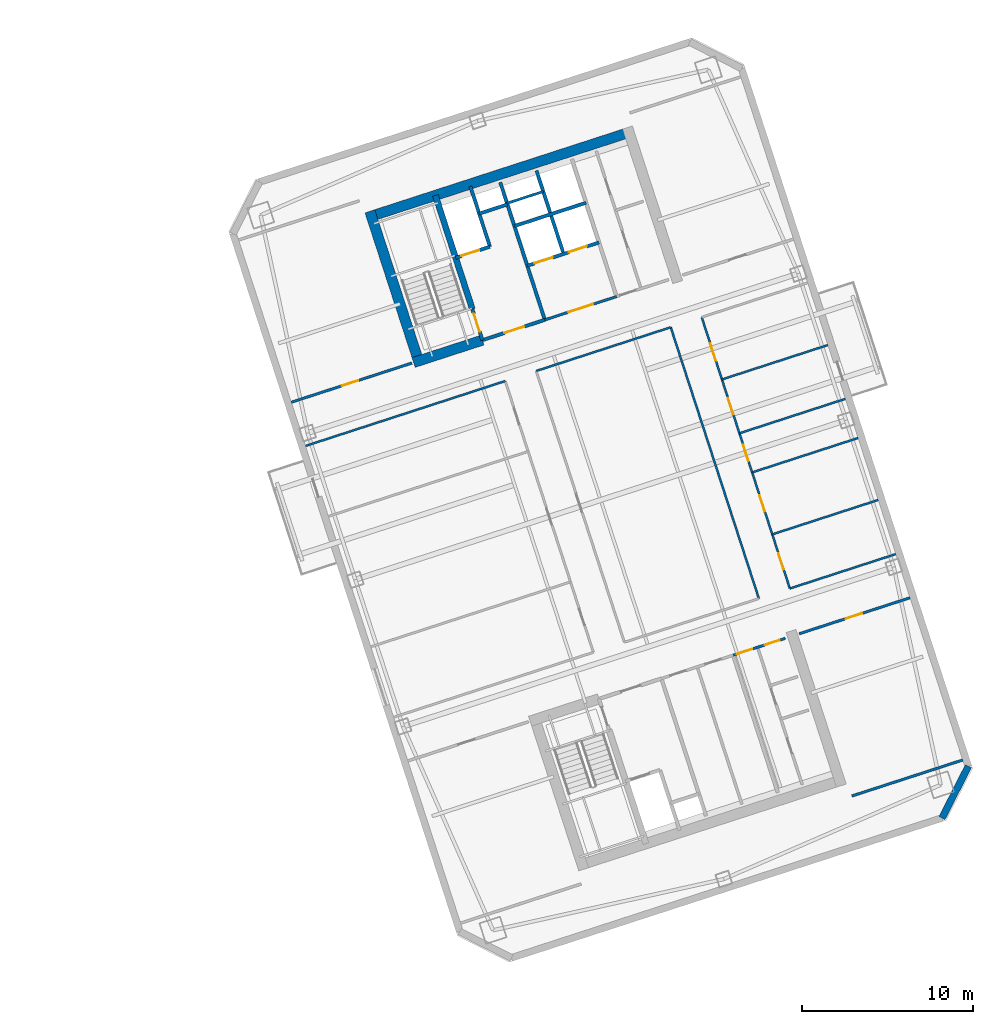
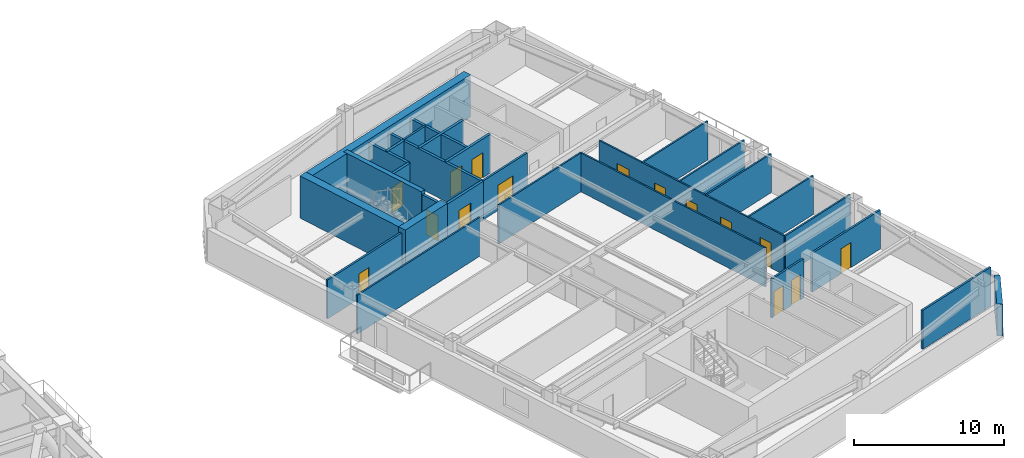
# One storey, part 10 of 17: 29 walls, 15 doors, 15 openings.
"""IFC4 building model written with IfcOpenShell, lengths in metres."""

from ifc_helpers import new_model, si_unit, direction, frame, frame_2d, origin, place, context, subcontext, project, spatial, rectangle, extrude, material, layer, layer_set, type_object, element, fill, save


model = new_model("IFC4")

# Units and contexts
model_context = context("Model", 3, precision=1e-05, world=origin(), true_north=direction((0.0, 1.0)))
body_context = subcontext(model_context, "Body", "Model", "MODEL_VIEW")
ifc_project = project(units=[si_unit("LENGTHUNIT", "METRE"), si_unit("AREAUNIT", "SQUARE_METRE"), si_unit("VOLUMEUNIT", "CUBIC_METRE"), si_unit("PLANEANGLEUNIT", "RADIAN"), si_unit("MASSUNIT", "GRAM", prefix="KILO")], contexts=[model_context])

# Site, building, storey
site_placement = place(None, origin())
site = spatial("IfcSite", under=ifc_project, at=site_placement, CompositionType="ELEMENT")
building_placement = place(site_placement, origin())
building = spatial("IfcBuilding", under=site, at=building_placement, Name="Qiaolan Cultural Towers", CompositionType="ELEMENT")
storey_placement = place(building_placement, frame((0.0, 0.0, 156.39990234375)))
storey = spatial("IfcBuildingStorey", under=building, at=storey_placement, Name="L41", CompositionType="ELEMENT", Elevation=156.39990234375)

# Walls
ifc_material_1 = material(Name="Concrete C50", Category="concrete")
ifc_layer_1 = layer(ifc_material_1, 0.35009765625)
ifc_layer_set_1 = layer_set([ifc_layer_1], Name="Concrete C50")
wall_type_1 = type_object("IfcWallType", Name="WL-CORE-350", PredefinedType="SHEAR", material=ifc_layer_set_1)
wall_1_placement = place(storey_placement, frame((82.513671875, 45.13134765625, 0.0), z_axis=(0.0, 0.0, 1.0), x_axis=(-0.308988790936, 0.951065679686, 0.0)))
element("IfcWall", 1, at=wall_1_placement, inside=storey, type_object=wall_type_1, Name="L41 T2-CN Stair Core Dividing Web", PredefinedType="SHEAR", context=body_context, shape_type="SweptSolid", body=[
    extrude(rectangle(XDim=6.97998046875, YDim=0.35009765625, at=frame_2d((3.489990234375, 0.0))), origin(), (0.0, 0.0, 1.0), 3.4501953125),
])
ifc_material_2 = material(Name="Concrete C55", Category="concrete")
ifc_layer_2 = layer(ifc_material_2, 0.60009765625)
ifc_layer_set_2 = layer_set([ifc_layer_2], Name="Concrete C55")
wall_type_2 = type_object("IfcWallType", Name="WL-CORE-600", PredefinedType="SHEAR", material=ifc_layer_set_2)
wall_2_placement = place(storey_placement, frame((76.343505859375, 50.4658203125, 0.0), z_axis=(0.0, 0.0, 1.0), x_axis=(0.951055727519, 0.309019421968, 0.0)))
element("IfcWall", 2, at=wall_2_placement, inside=storey, type_object=wall_type_2, Name="L41 T2-CN Outer Core Shear Wall", PredefinedType="SHEAR", context=body_context, shape_type="SweptSolid", body=[
    extrude(rectangle(XDim=16.39990234375, YDim=0.60009765625, at=frame_2d((8.199951171875, 0.0))), origin(), (0.0, 0.0, 1.0), 3.4501953125),
])
wall_3_placement = place(storey_placement, frame((79.465576171875, 41.827880859375, 0.0), z_axis=(0.0, 0.0, 1.0), x_axis=(-0.309041232772, 0.951048640421, 0.0)))
element("IfcWall", 3, at=wall_3_placement, inside=storey, type_object=wall_type_2, Name="L41 T2-CN West Core Shear Wall", PredefinedType="SHEAR", context=body_context, shape_type="SweptSolid", body=[
    extrude(rectangle(XDim=9.47998046875, YDim=0.60009765625, at=frame_2d((4.739990234375, 0.0))), origin(), (0.0, 0.0, 1.0), 3.4501953125),
])
wall_4_placement = place(storey_placement, frame((79.08740234375, 42.0205078125, 0.0), z_axis=(0.0, 0.0, 1.0), x_axis=(0.951062550203, 0.3089984233, 0.0)))
element("IfcWall", 4, at=wall_4_placement, inside=storey, type_object=wall_type_2, Name="L41 T2-CN Stair Front Shear Wall", PredefinedType="SHEAR", context=body_context, shape_type="SweptSolid", body=[
    extrude(rectangle(XDim=4.219970703125, YDim=0.60009765625, at=frame_2d((2.10986328125, 0.0))), origin(), (0.0, 0.0, 1.0), 3.4501953125),
])
ifc_material_3 = material(Name="Precast Concrete C50 Honed Stone Pier", Category="masonry")
ifc_layer_3 = layer(ifc_material_3, 0.39990234375)
ifc_layer_set_3 = layer_set([ifc_layer_3], Name="Precast Concrete C50 Honed Stone Pier")
wall_type_3 = type_object("IfcWallType", Name="WL-EXT-PIER-400", PredefinedType="SOLIDWALL", material=ifc_layer_set_3)
wall_5_placement = place(storey_placement, frame((111.449462890625, 18.468017578125, 0.0), z_axis=(0.0, 0.0, 1.0), x_axis=(-0.454019523198, -0.890991735402, 0.0)))
element("IfcWall", 5, at=wall_5_placement, inside=storey, type_object=wall_type_3, Name="L41 East Tower Precast Pier Facade Wall F6", PredefinedType="SOLIDWALL", context=body_context, shape_type="SweptSolid", body=[
    extrude(rectangle(XDim=3.39404296875, YDim=0.39990234375, at=frame_2d((1.697021484375, 0.0))), origin(), (0.0, 0.0, 1.0), 2.610107421875),
])

# Wall, opening, door
ifc_material_4 = material(Name="Concrete C35 Fire Wall", Category="concrete")
ifc_layer_4 = layer(ifc_material_4, 0.199951171875)
ifc_layer_set_4 = layer_set([ifc_layer_4], Name="Concrete C35 Fire Wall")
wall_type_4 = type_object("IfcWallType", Name="WL-FIRE-200", PredefinedType="PARTITIONING", material=ifc_layer_set_4)
wall_6_placement = place(storey_placement, frame((83.100830078125, 43.324462890625, 0.0), z_axis=(0.0, 0.0, 1.0), x_axis=(-0.309048298632, 0.951046344356, 0.0)))
wall_6 = element("IfcWall", 6, at=wall_6_placement, inside=storey, type_object=wall_type_4, Name="L41 T2-CN Smokeproof Stair Entry Wall", PredefinedType="PARTITIONING", context=body_context, shape_type="SweptSolid", body=[
    extrude(rectangle(XDim=1.89990234375, YDim=0.199951171875, at=frame_2d((0.949951171875, 0.0))), origin(), (0.0, 0.0, 1.0), 3.175048828125),
])
opening_1_placement = place(wall_6_placement, frame((0.52001953125, 0.0, 0.0)))
opening_1 = element("IfcOpeningElement", 7, at=opening_1_placement, cuts=wall_6, Name="Opening FD-04", PredefinedType="OPENING", context=body_context, shape_type="SweptSolid", body=[
    extrude(rectangle(XDim=1.10009765625, YDim=2.050048828125, at=frame_2d((0.550048828125, 1.02490234375))), frame((0.0, 0.10986328125, 0.0), z_axis=(0.0, -1.0, 0.0), x_axis=(1.0, 0.0, 0.0)), (0.0, 0.0, 1.0), 0.219970703125),
])
ifc_material_5 = material(Name="Galvanized Steel Command Fire Door", Category="steel")
door_type_1 = type_object("IfcDoorType", Name="DR-FD90-1100", OperationType="NOTDEFINED", PredefinedType="DOOR", material=ifc_material_5)
door_1_placement = place(opening_1_placement, origin())
door_1 = element("IfcDoor", 8, at=door_1_placement, inside=storey, type_object=door_type_1, Name="L41 ST-E2 Smokeproof Stair Fire Door", OperationType="SINGLE_SWING_LEFT", OverallHeight=2.050048828125, OverallWidth=1.10009765625, PredefinedType="DOOR", context=body_context, shape_type="SweptSolid", body=[
    extrude(rectangle(XDim=1.10009765625, YDim=2.050048828125, at=frame_2d((0.550048828125, 1.02490234375))), frame((0.0, 0.02490234375, 0.0), z_axis=(0.0, -1.0, 0.0), x_axis=(1.0, 0.0, 0.0)), (0.0, 0.0, 1.0), 0.050048828125),
])
fill(opening_1, door_1)

# Wall
wall_7_placement = place(storey_placement, frame((86.743408203125, 44.508056640625, 0.0), z_axis=(0.0, 0.0, 1.0), x_axis=(-0.309016001439, 0.951056838919, 0.0)))
element("IfcWall", 9, at=wall_7_placement, inside=storey, type_object=wall_type_4, Name="L41 T2-CN Firefighting Zone Wall", PredefinedType="PARTITIONING", context=body_context, shape_type="SweptSolid", body=[
    extrude(rectangle(XDim=8.429931640625, YDim=0.199951171875, at=frame_2d((4.21484375, 0.0))), origin(), (0.0, 0.0, 1.0), 3.175048828125),
])

# Wall, opening, door
wall_8_placement = place(storey_placement, frame((83.100830078125, 43.324462890625, 0.0), z_axis=(0.0, 0.0, 1.0), x_axis=(0.951052804469, 0.309028417967, 0.0)))
wall_8 = element("IfcWall", 10, at=wall_8_placement, inside=storey, type_object=wall_type_4, Name="L41 T2-CN Firefighting Lobby Front Wall", PredefinedType="PARTITIONING", context=body_context, shape_type="SweptSolid", body=[
    extrude(rectangle(XDim=3.830078125, YDim=0.199951171875, at=frame_2d((1.9150390625, 0.0))), origin(), (0.0, 0.0, 1.0), 3.175048828125),
])
opening_2_placement = place(wall_8_placement, frame((1.35009765625, 0.0, 0.0)))
opening_2 = element("IfcOpeningElement", 11, at=opening_2_placement, cuts=wall_8, Name="Opening FD-03", PredefinedType="OPENING", context=body_context, shape_type="SweptSolid", body=[
    extrude(rectangle(XDim=1.199951171875, YDim=2.050048828125, at=frame_2d((0.60009765625, 1.02490234375))), frame((0.0, 0.10986328125, 0.0), z_axis=(0.0, -1.0, 0.0), x_axis=(1.0, 0.0, 0.0)), (0.0, 0.0, 1.0), 0.219970703125),
])
ifc_material_6 = material(Name="Galvanized Steel Smokeproof Lobby Fire Door", Category="steel")
door_type_2 = type_object("IfcDoorType", Name="DR-FD90-1200", OperationType="NOTDEFINED", PredefinedType="DOOR", material=ifc_material_6)
door_2_placement = place(opening_2_placement, origin())
door_2 = element("IfcDoor", 12, at=door_2_placement, inside=storey, type_object=door_type_2, Name="L41 FFL-E2 Firefighting Lobby Fire Door", OperationType="SINGLE_SWING_LEFT", OverallHeight=2.050048828125, OverallWidth=1.199951171875, PredefinedType="DOOR", context=body_context, shape_type="SweptSolid", body=[
    extrude(rectangle(XDim=1.199951171875, YDim=2.050048828125, at=frame_2d((0.60009765625, 1.02490234375))), frame((0.0, 0.02490234375, 0.0), z_axis=(0.0, -1.0, 0.0), x_axis=(1.0, 0.0, 0.0)), (0.0, 0.0, 1.0), 0.050048828125),
])
fill(opening_2, door_2)

wall_9_placement = place(storey_placement, frame((81.540283203125, 48.127197265625, 0.0), z_axis=(0.0, 0.0, 1.0), x_axis=(0.951062257173, 0.308999325213, 0.0)))
wall_9 = element("IfcWall", 13, at=wall_9_placement, inside=storey, type_object=wall_type_4, Name="L41 T2-CN Firefighting Shaft Front Wall", PredefinedType="PARTITIONING", context=body_context, shape_type="SweptSolid", body=[
    extrude(rectangle(XDim=2.10009765625, YDim=0.199951171875, at=frame_2d((1.050048828125, 0.0))), origin(), (0.0, 0.0, 1.0), 3.175048828125),
])
opening_3_placement = place(wall_9_placement, frame((0.35009765625, 0.0, 0.0)))
opening_3 = element("IfcOpeningElement", 14, at=opening_3_placement, cuts=wall_9, Name="Opening LD-01", PredefinedType="OPENING", context=body_context, shape_type="SweptSolid", body=[
    extrude(rectangle(XDim=1.10009765625, YDim=2.050048828125, at=frame_2d((0.550048828125, 1.02490234375))), frame((0.0, 0.10986328125, 0.0), z_axis=(0.0, -1.0, 0.0), x_axis=(1.0, 0.0, 0.0)), (0.0, 0.0, 1.0), 0.219970703125),
])
ifc_material_7 = material(Name="Brushed Stainless Steel S30408 Centre-Parting Lift Landing Door", Category="steel")
door_type_3 = type_object("IfcDoorType", Name="DR-LIFT-1100", OperationType="NOTDEFINED", PredefinedType="DOOR", material=ifc_material_7)
door_3_placement = place(opening_3_placement, origin())
door_3 = element("IfcDoor", 15, at=door_3_placement, inside=storey, type_object=door_type_3, Name="L41 FFL-E2 Firefighting Lift Landing Door", OperationType="DOUBLE_DOOR_SLIDING", OverallHeight=2.050048828125, OverallWidth=1.10009765625, PredefinedType="DOOR", context=body_context, shape_type="SweptSolid", body=[
    extrude(rectangle(XDim=1.10009765625, YDim=2.050048828125, at=frame_2d((0.550048828125, 1.02490234375))), frame((0.0, 0.02490234375, 0.0), z_axis=(0.0, -1.0, 0.0), x_axis=(1.0, 0.0, 0.0)), (0.0, 0.0, 1.0), 0.050048828125),
])
fill(opening_3, door_3)

# Walls
wall_10_placement = place(storey_placement, frame((83.53759765625, 48.776123046875, 0.0), z_axis=(0.0, 0.0, 1.0), x_axis=(-0.3089935693, 0.951064127245, 0.0)))
element("IfcWall", 16, at=wall_10_placement, inside=storey, type_object=wall_type_4, Name="L41 T2-CN Firefighting Hoistway East Wall", PredefinedType="PARTITIONING", context=body_context, shape_type="SweptSolid", body=[
    extrude(rectangle(XDim=3.7001953125, YDim=0.199951171875, at=frame_2d((1.85009765625, 0.0))), origin(), (0.0, 0.0, 1.0), 3.175048828125),
])
wall_11_placement = place(storey_placement, frame((82.910400390625, 50.706787109375, 0.0), z_axis=(0.0, 0.0, 1.0), x_axis=(0.951041328149, 0.309063734775, 0.0)))
element("IfcWall", 17, at=wall_11_placement, inside=storey, type_object=wall_type_4, Name="L41 T2-CN Pressurization Shaft Front Wall", PredefinedType="PARTITIONING", context=body_context, shape_type="SweptSolid", body=[
    extrude(rectangle(XDim=1.72998046875, YDim=0.199951171875, at=frame_2d((0.864990234375, 0.0))), origin(), (0.0, 0.0, 1.0), 3.175048828125),
])

# Wall, openings, doors
wall_12_placement = place(storey_placement, frame((85.717529296875, 47.66552734375, 0.0), z_axis=(0.0, 0.0, 1.0), x_axis=(0.951058531764, 0.30901079133, 0.0)))
wall_12 = element("IfcWall", 18, at=wall_12_placement, inside=storey, type_object=wall_type_4, Name="L41 T2-CN Passenger Lift Shaft Front Wall", PredefinedType="PARTITIONING", context=body_context, shape_type="SweptSolid", body=[
    extrude(rectangle(XDim=4.39990234375, YDim=0.199951171875, at=frame_2d((2.199951171875, 0.0))), origin(), (0.0, 0.0, 1.0), 3.175048828125),
])
opening_4_placement = place(wall_12_placement, frame((0.449951171875, 0.0, 0.0)))
opening_4 = element("IfcOpeningElement", 19, at=opening_4_placement, cuts=wall_12, Name="Opening LD-01", PredefinedType="OPENING", context=body_context, shape_type="SweptSolid", body=[
    extrude(rectangle(XDim=1.10009765625, YDim=2.050048828125, at=frame_2d((0.550048828125, 1.02490234375))), frame((0.0, 0.10986328125, 0.0), z_axis=(0.0, -1.0, 0.0), x_axis=(1.0, 0.0, 0.0)), (0.0, 0.0, 1.0), 0.219970703125),
])
opening_5_placement = place(wall_12_placement, frame((2.550048828125, 0.0, 0.0)))
opening_5 = element("IfcOpeningElement", 20, at=opening_5_placement, cuts=wall_12, Name="Opening LD-01", PredefinedType="OPENING", context=body_context, shape_type="SweptSolid", body=[
    extrude(rectangle(XDim=1.10009765625, YDim=2.050048828125, at=frame_2d((0.550048828125, 1.02490234375))), frame((0.0, 0.10986328125, 0.0), z_axis=(0.0, -1.0, 0.0), x_axis=(1.0, 0.0, 0.0)), (0.0, 0.0, 1.0), 0.219970703125),
])
door_4_placement = place(opening_4_placement, origin())
door_4 = element("IfcDoor", 21, at=door_4_placement, inside=storey, type_object=door_type_3, Name="L41 Passenger Lift 1 Landing Door", OperationType="DOUBLE_DOOR_SLIDING", OverallHeight=2.050048828125, OverallWidth=1.10009765625, PredefinedType="DOOR", context=body_context, shape_type="SweptSolid", body=[
    extrude(rectangle(XDim=1.10009765625, YDim=2.050048828125, at=frame_2d((0.550048828125, 1.02490234375))), frame((0.0, 0.02490234375, 0.0), z_axis=(0.0, -1.0, 0.0), x_axis=(1.0, 0.0, 0.0)), (0.0, 0.0, 1.0), 0.050048828125),
])
fill(opening_4, door_4)
door_5_placement = place(opening_5_placement, origin())
door_5 = element("IfcDoor", 22, at=door_5_placement, inside=storey, type_object=door_type_3, Name="L41 Passenger Lift 2 Landing Door", OperationType="DOUBLE_DOOR_SLIDING", OverallHeight=2.050048828125, OverallWidth=1.10009765625, PredefinedType="DOOR", context=body_context, shape_type="SweptSolid", body=[
    extrude(rectangle(XDim=1.10009765625, YDim=2.050048828125, at=frame_2d((0.550048828125, 1.02490234375))), frame((0.0, 0.02490234375, 0.0), z_axis=(0.0, -1.0, 0.0), x_axis=(1.0, 0.0, 0.0)), (0.0, 0.0, 1.0), 0.050048828125),
])
fill(opening_5, door_5)

# Walls
wall_13_placement = place(storey_placement, frame((87.83837890625, 48.3544921875, 0.0), z_axis=(0.0, 0.0, 1.0), x_axis=(-0.3090093719, 0.951058992953, 0.0)))
element("IfcWall", 23, at=wall_13_placement, inside=storey, type_object=wall_type_4, Name="L41 T2-CN Lift Shaft Divider Wall", PredefinedType="PARTITIONING", context=body_context, shape_type="SweptSolid", body=[
    extrude(rectangle(XDim=5.110107421875, YDim=0.199951171875, at=frame_2d((2.55517578125, 0.0))), origin(), (0.0, 0.0, 1.0), 3.175048828125),
])
wall_14_placement = place(storey_placement, frame((84.966552734375, 49.9765625, 0.0), z_axis=(0.0, 0.0, 1.0), x_axis=(0.951063829732, 0.308994485023, 0.0)))
element("IfcWall", 24, at=wall_14_placement, inside=storey, type_object=wall_type_4, Name="L41 T2-CN Passenger Lift Shaft Back Wall", PredefinedType="PARTITIONING", context=body_context, shape_type="SweptSolid", body=[
    extrude(rectangle(XDim=4.400146484375, YDim=0.199951171875, at=frame_2d((2.2001953125, 0.0))), origin(), (0.0, 0.0, 1.0), 3.175048828125),
])
ifc_material_8 = material(Name="Gypsum Stud Acoustic Partition", Category="gypsum")
ifc_layer_5 = layer(ifc_material_8, 0.1201171875)
ifc_layer_set_5 = layer_set([ifc_layer_5], Name="Gypsum Stud Acoustic Partition")
wall_type_5 = type_object("IfcWallType", Name="WL-PART-120", PredefinedType="PARTITIONING", material=ifc_layer_set_5)
wall_15_placement = place(storey_placement, frame((101.035400390625, 28.83740234375, 0.0), z_axis=(0.0, 0.0, 1.0), x_axis=(0.95104869662, 0.309041059824, 0.0)))
element("IfcWall", 25, at=wall_15_placement, inside=storey, type_object=wall_type_5, Name="L41 T2 Interior Wall", PredefinedType="PARTITIONING", context=body_context, shape_type="SweptSolid", body=[
    extrude(rectangle(XDim=6.5, YDim=0.1201171875, at=frame_2d((3.25, 0.0))), origin(), (0.0, 0.0, 1.0), 3.175048828125),
])
wall_16_placement = place(storey_placement, frame((72.78271484375, 37.15380859375, 0.0), z_axis=(0.0, 0.0, 1.0), x_axis=(0.9510516424, 0.30903199428, 0.0)))
element("IfcWall", 26, at=wall_16_placement, inside=storey, type_object=wall_type_5, Name="L41 T2 Interior Wall", PredefinedType="PARTITIONING", context=body_context, shape_type="SweptSolid", body=[
    extrude(rectangle(XDim=12.25, YDim=0.1201171875, at=frame_2d((6.125, 0.0))), origin(), (0.0, 0.0, 1.0), 3.175048828125),
])
wall_17_placement = place(storey_placement, frame((86.240234375, 41.526611328125, 0.0), z_axis=(0.0, 0.0, 1.0), x_axis=(0.951058857521, 0.309009788731, 0.0)))
element("IfcWall", 27, at=wall_17_placement, inside=storey, type_object=wall_type_5, Name="L41 T2 Interior Wall", PredefinedType="PARTITIONING", context=body_context, shape_type="SweptSolid", body=[
    extrude(rectangle(XDim=8.25, YDim=0.1201171875, at=frame_2d((4.125, 0.0))), origin(), (0.0, 0.0, 1.0), 3.175048828125),
])
wall_18_placement = place(storey_placement, frame((99.228515625, 28.250244140625, 0.0), z_axis=(0.0, 0.0, 1.0), x_axis=(-0.30901773025, 0.951056277195, 0.0)))
element("IfcWall", 28, at=wall_18_placement, inside=storey, type_object=wall_type_5, Name="L41 T2 Interior Wall", PredefinedType="PARTITIONING", context=body_context, shape_type="SweptSolid", body=[
    extrude(rectangle(XDim=16.64013671875, YDim=0.1201171875, at=frame_2d((8.320068359375, 0.0))), origin(), (0.0, 0.0, 1.0), 3.175048828125),
])

# Wall, openings, doors
wall_19_placement = place(storey_placement, frame((101.035400390625, 28.83740234375, 0.0), z_axis=(0.0, 0.0, 1.0), x_axis=(-0.30901773025, 0.951056277195, 0.0)))
wall_19 = element("IfcWall", 29, at=wall_19_placement, inside=storey, type_object=wall_type_5, Name="L41 T2 Interior Wall", PredefinedType="PARTITIONING", context=body_context, shape_type="SweptSolid", body=[
    extrude(rectangle(XDim=16.64013671875, YDim=0.1201171875, at=frame_2d((8.320068359375, 0.0))), origin(), (0.0, 0.0, 1.0), 3.175048828125),
])
opening_6_placement = place(wall_19_placement, frame((1.159912109375, 0.0, 0.0)))
opening_6 = element("IfcOpeningElement", 30, at=opening_6_placement, cuts=wall_19, Name="Opening ID-04", PredefinedType="OPENING", context=body_context, shape_type="SweptSolid", body=[
    extrude(rectangle(XDim=1.0, YDim=2.050048828125, at=frame_2d((0.5, 1.02490234375))), frame((0.0, 0.070068359375, 0.0), z_axis=(0.0, -1.0, 0.0), x_axis=(1.0, 0.0, 0.0)), (0.0, 0.0, 1.0), 0.14013671875),
])
opening_7_placement = place(wall_19_placement, frame((4.719970703125, 0.0, 0.0)))
opening_7 = element("IfcOpeningElement", 31, at=opening_7_placement, cuts=wall_19, Name="Opening ID-04", PredefinedType="OPENING", context=body_context, shape_type="SweptSolid", body=[
    extrude(rectangle(XDim=1.0, YDim=2.050048828125, at=frame_2d((0.5, 1.02490234375))), frame((0.0, 0.070068359375, 0.0), z_axis=(0.0, -1.0, 0.0), x_axis=(1.0, 0.0, 0.0)), (0.0, 0.0, 1.0), 0.14013671875),
])
opening_8_placement = place(wall_19_placement, frame((7.820068359375, 0.0, 0.0)))
opening_8 = element("IfcOpeningElement", 32, at=opening_8_placement, cuts=wall_19, Name="Opening ID-04", PredefinedType="OPENING", context=body_context, shape_type="SweptSolid", body=[
    extrude(rectangle(XDim=1.0, YDim=2.050048828125, at=frame_2d((0.5, 1.02490234375))), frame((0.0, 0.070068359375, 0.0), z_axis=(0.0, -1.0, 0.0), x_axis=(1.0, 0.0, 0.0)), (0.0, 0.0, 1.0), 0.14013671875),
])
opening_9_placement = place(wall_19_placement, frame((10.670654296875, 0.0, 0.0)))
opening_9 = element("IfcOpeningElement", 33, at=opening_9_placement, cuts=wall_19, Name="Opening ID-04", PredefinedType="OPENING", context=body_context, shape_type="SweptSolid", body=[
    extrude(rectangle(XDim=1.0, YDim=2.050048828125, at=frame_2d((0.5, 1.02490234375))), frame((0.0, 0.070068359375, 0.0), z_axis=(0.0, -1.0, 0.0), x_axis=(1.0, 0.0, 0.0)), (0.0, 0.0, 1.0), 0.14013671875),
])
opening_10_placement = place(wall_19_placement, frame((13.970703125, 0.0, 0.0)))
opening_10 = element("IfcOpeningElement", 34, at=opening_10_placement, cuts=wall_19, Name="Opening ID-07", PredefinedType="OPENING", context=body_context, shape_type="SweptSolid", body=[
    extrude(rectangle(XDim=1.050048828125, YDim=2.050048828125, at=frame_2d((0.52490234375, 1.02490234375))), frame((0.0, 0.070068359375, 0.0), z_axis=(0.0, -1.0, 0.0), x_axis=(1.0, 0.0, 0.0)), (0.0, 0.0, 1.0), 0.14013671875),
])
ifc_material_9 = material(Name="Oak Veneer Acoustic Office Door", Category="timber")
door_type_4 = type_object("IfcDoorType", Name="DR-INT-1000", OperationType="NOTDEFINED", PredefinedType="DOOR", material=ifc_material_9)
door_6_placement = place(opening_6_placement, origin())
door_6 = element("IfcDoor", 35, at=door_6_placement, inside=storey, type_object=door_type_4, Name="L41 T2 Art Consultancy Shop Door", OperationType="SINGLE_SWING_RIGHT", OverallHeight=2.050048828125, OverallWidth=1.0, PredefinedType="DOOR", context=body_context, shape_type="SweptSolid", body=[
    extrude(rectangle(XDim=1.0, YDim=2.050048828125, at=frame_2d((0.5, 1.02490234375))), frame((0.0, 0.02490234375, 0.0), z_axis=(0.0, -1.0, 0.0), x_axis=(1.0, 0.0, 0.0)), (0.0, 0.0, 1.0), 0.050048828125),
])
fill(opening_6, door_6)
door_7_placement = place(opening_7_placement, origin())
door_7 = element("IfcDoor", 36, at=door_7_placement, inside=storey, type_object=door_type_4, Name="L41 T2 Art Consultancy Shop Door", OperationType="SINGLE_SWING_LEFT", OverallHeight=2.050048828125, OverallWidth=1.0, PredefinedType="DOOR", context=body_context, shape_type="SweptSolid", body=[
    extrude(rectangle(XDim=1.0, YDim=2.050048828125, at=frame_2d((0.5, 1.02490234375))), frame((0.0, 0.02490234375, 0.0), z_axis=(0.0, -1.0, 0.0), x_axis=(1.0, 0.0, 0.0)), (0.0, 0.0, 1.0), 0.050048828125),
])
fill(opening_7, door_7)
door_8_placement = place(opening_8_placement, origin())
door_8 = element("IfcDoor", 37, at=door_8_placement, inside=storey, type_object=door_type_4, Name="L41 T2 Art Consultancy Shop Door", OperationType="SINGLE_SWING_RIGHT", OverallHeight=2.050048828125, OverallWidth=1.0, PredefinedType="DOOR", context=body_context, shape_type="SweptSolid", body=[
    extrude(rectangle(XDim=1.0, YDim=2.050048828125, at=frame_2d((0.5, 1.02490234375))), frame((0.0, 0.02490234375, 0.0), z_axis=(0.0, -1.0, 0.0), x_axis=(1.0, 0.0, 0.0)), (0.0, 0.0, 1.0), 0.050048828125),
])
fill(opening_8, door_8)
door_9_placement = place(opening_9_placement, origin())
door_9 = element("IfcDoor", 38, at=door_9_placement, inside=storey, type_object=door_type_4, Name="L41 T2 Art Consultancy Shop Door", OperationType="SINGLE_SWING_LEFT", OverallHeight=2.050048828125, OverallWidth=1.0, PredefinedType="DOOR", context=body_context, shape_type="SweptSolid", body=[
    extrude(rectangle(XDim=1.0, YDim=2.050048828125, at=frame_2d((0.5, 1.02490234375))), frame((0.0, 0.02490234375, 0.0), z_axis=(0.0, -1.0, 0.0), x_axis=(1.0, 0.0, 0.0)), (0.0, 0.0, 1.0), 0.050048828125),
])
fill(opening_9, door_9)
ifc_material_10 = material(Name="Oak Veneer Consultation Door", Category="timber")
door_type_5 = type_object("IfcDoorType", Name="DR-INT-1050", OperationType="NOTDEFINED", PredefinedType="DOOR", material=ifc_material_10)
door_10_placement = place(opening_10_placement, origin())
door_10 = element("IfcDoor", 39, at=door_10_placement, inside=storey, type_object=door_type_5, Name="L41 T2 Executive Office Door", OperationType="SINGLE_SWING_RIGHT", OverallHeight=2.050048828125, OverallWidth=1.050048828125, PredefinedType="DOOR", context=body_context, shape_type="SweptSolid", body=[
    extrude(rectangle(XDim=1.050048828125, YDim=2.050048828125, at=frame_2d((0.52490234375, 1.02490234375))), frame((0.0, 0.02490234375, 0.0), z_axis=(0.0, -1.0, 0.0), x_axis=(1.0, 0.0, 0.0)), (0.0, 0.0, 1.0), 0.050048828125),
])
fill(opening_10, door_10)

# Walls
for number, where, z_axis, x_axis, name in (
    (40, (100.009521484375, 31.994873046875, 0.0), (0.0, 0.0, 1.0), (0.95104869662, 0.309041059824, 0.0), "L41 T2 Interior Wall"),
    (41, (98.835205078125, 35.60888671875, 0.0), (0.0, 0.0, 1.0), (0.95104869662, 0.309041059824, 0.0), "L41 T2 Interior Wall"),
    (42, (98.093505859375, 37.8916015625, 0.0), (0.0, 0.0, 1.0), (0.951059735424, 0.30900708674, 0.0), "L41 T2 Interior Wall"),
    (43, (97.073486328125, 41.03125, 0.0), (0.0, 0.0, 1.0), (0.95104869662, 0.309041059824, 0.0), "L41 T2 Interior Wall"),
):
    element("IfcWall", number, at=place(storey_placement, frame(where, z_axis=z_axis, x_axis=x_axis)), inside=storey, type_object=wall_type_5, Name=name, PredefinedType="PARTITIONING", context=body_context, shape_type="SweptSolid", body=[
        extrude(rectangle(XDim=6.5, YDim=0.1201171875, at=frame_2d((3.25, 0.0))), origin(), (0.0, 0.0, 1.0), 3.175048828125),
    ])

# Wall, openings, doors
ifc_material_11 = material(Name="Autoclaved Aerated Concrete Block B06", Category="concrete")
ifc_layer_6 = layer(ifc_material_11, 0.14990234375)
ifc_layer_set_6 = layer_set([ifc_layer_6], Name="Autoclaved Aerated Concrete Block B06")
wall_type_6 = type_object("IfcWallType", Name="WL-PART-150", PredefinedType="PARTITIONING", material=ifc_layer_set_6)
wall_20_placement = place(storey_placement, frame((97.7265625, 24.9443359375, 0.0), z_axis=(0.0, 0.0, 1.0), x_axis=(0.951036872128, 0.309077446369, 0.0)))
wall_20 = element("IfcWall", 44, at=wall_20_placement, inside=storey, type_object=wall_type_6, Name="L41 T2-CS Sanitary Core Front Wall", PredefinedType="PARTITIONING", context=body_context, shape_type="SweptSolid", body=[
    extrude(rectangle(XDim=3.199951171875, YDim=0.14990234375, at=frame_2d((1.60009765625, 0.0))), origin(), (0.0, 0.0, 1.0), 3.175048828125),
])
opening_11_placement = place(wall_20_placement, frame((0.219970703125, 0.0, 0.0)))
opening_11 = element("IfcOpeningElement", 45, at=opening_11_placement, cuts=wall_20, Name="Opening ID-05", PredefinedType="OPENING", context=body_context, shape_type="SweptSolid", body=[
    extrude(rectangle(XDim=0.949951171875, YDim=2.050048828125, at=frame_2d((0.47509765625, 1.02490234375))), frame((0.0, 0.0849609375, 0.0), z_axis=(0.0, -1.0, 0.0), x_axis=(1.0, 0.0, 0.0)), (0.0, 0.0, 1.0), 0.169921875),
])
opening_12_placement = place(wall_20_placement, frame((1.949951171875, 0.0, 0.0)))
opening_12 = element("IfcOpeningElement", 46, at=opening_12_placement, cuts=wall_20, Name="Opening ID-06", PredefinedType="OPENING", context=body_context, shape_type="SweptSolid", body=[
    extrude(rectangle(XDim=0.89990234375, YDim=2.050048828125, at=frame_2d((0.449951171875, 1.02490234375))), frame((0.0, 0.0849609375, 0.0), z_axis=(0.0, -1.0, 0.0), x_axis=(1.0, 0.0, 0.0)), (0.0, 0.0, 1.0), 0.169921875),
])
ifc_material_12 = material(Name="Fire-Rated Laminate Core Service Door", Category="timber")
door_type_6 = type_object("IfcDoorType", Name="DR-INT-900", OperationType="NOTDEFINED", PredefinedType="DOOR", material=ifc_material_12)
door_11_placement = place(opening_12_placement, origin())
door_11 = element("IfcDoor", 47, at=door_11_placement, inside=storey, type_object=door_type_6, Name="L41 Core Tea Pantry Door", OperationType="SINGLE_SWING_RIGHT", OverallHeight=2.050048828125, OverallWidth=0.89990234375, PredefinedType="DOOR", context=body_context, shape_type="SweptSolid", body=[
    extrude(rectangle(XDim=0.89990234375, YDim=2.050048828125, at=frame_2d((0.449951171875, 1.02490234375))), frame((0.0, 0.02490234375, 0.0), z_axis=(0.0, -1.0, 0.0), x_axis=(1.0, 0.0, 0.0)), (0.0, 0.0, 1.0), 0.050048828125),
])
fill(opening_12, door_11)
ifc_material_13 = material(Name="Fire-Rated Laminate Accessible Core Door", Category="timber")
door_type_7 = type_object("IfcDoorType", Name="DR-INT-950", OperationType="NOTDEFINED", PredefinedType="DOOR", material=ifc_material_13)
door_12_placement = place(opening_11_placement, origin())
door_12 = element("IfcDoor", 48, at=door_12_placement, inside=storey, type_object=door_type_7, Name="L41 Sanitary Passage Door", OperationType="SINGLE_SWING_LEFT", OverallHeight=2.050048828125, OverallWidth=0.949951171875, PredefinedType="DOOR", context=body_context, shape_type="SweptSolid", body=[
    extrude(rectangle(XDim=0.949951171875, YDim=2.050048828125, at=frame_2d((0.47509765625, 1.02490234375))), frame((0.0, 0.02490234375, 0.0), z_axis=(0.0, -1.0, 0.0), x_axis=(1.0, 0.0, 0.0)), (0.0, 0.0, 1.0), 0.050048828125),
])
fill(opening_11, door_12)

# Wall, opening, door
wall_21_placement = place(storey_placement, frame((86.743408203125, 44.508056640625, 0.0), z_axis=(0.0, 0.0, 1.0), x_axis=(0.951063829732, 0.308994485023, 0.0)))
wall_21 = element("IfcWall", 49, at=wall_21_placement, inside=storey, type_object=wall_type_6, Name="L41 T2-CN Passenger Lift Lobby Front Wall", PredefinedType="PARTITIONING", context=body_context, shape_type="SweptSolid", body=[
    extrude(rectangle(XDim=4.400146484375, YDim=0.14990234375, at=frame_2d((2.2001953125, 0.0))), origin(), (0.0, 0.0, 1.0), 3.175048828125),
])
opening_13_placement = place(wall_21_placement, frame((1.449951171875, 0.0, 0.0)))
opening_13 = element("IfcOpeningElement", 50, at=opening_13_placement, cuts=wall_21, Name="Opening FD-05", PredefinedType="OPENING", context=body_context, shape_type="SweptSolid", body=[
    extrude(rectangle(XDim=1.5, YDim=2.050048828125, at=frame_2d((0.75, 1.02490234375))), frame((0.0, 0.0849609375, 0.0), z_axis=(0.0, -1.0, 0.0), x_axis=(1.0, 0.0, 0.0)), (0.0, 0.0, 1.0), 0.169921875),
])
ifc_material_14 = material(Name="Painted Steel Lift Lobby Fire Door", Category="steel")
door_type_8 = type_object("IfcDoorType", Name="DR-FD60-1500", OperationType="NOTDEFINED", PredefinedType="DOOR", material=ifc_material_14)
door_13_placement = place(opening_13_placement, origin())
door_13 = element("IfcDoor", 51, at=door_13_placement, inside=storey, type_object=door_type_8, Name="L41 Passenger Lift Lobby Entrance", OperationType="SINGLE_SWING_LEFT", OverallHeight=2.050048828125, OverallWidth=1.5, PredefinedType="DOOR", context=body_context, shape_type="SweptSolid", body=[
    extrude(rectangle(XDim=1.5, YDim=2.050048828125, at=frame_2d((0.75, 1.02490234375))), frame((0.0, 0.02490234375, 0.0), z_axis=(0.0, -1.0, 0.0), x_axis=(1.0, 0.0, 0.0)), (0.0, 0.0, 1.0), 0.050048828125),
])
fill(opening_13, door_13)

# Walls
wall_22_placement = place(storey_placement, frame((84.533935546875, 51.30810546875, 0.0), z_axis=(0.0, 0.0, 1.0), x_axis=(0.951075093106, 0.308959814982, 0.0)))
element("IfcWall", 52, at=wall_22_placement, inside=storey, type_object=wall_type_6, Name="L41 T2-CN Core Rear Riser Split", PredefinedType="PARTITIONING", context=body_context, shape_type="SweptSolid", body=[
    extrude(rectangle(XDim=2.22998046875, YDim=0.14990234375, at=frame_2d((1.114990234375, 0.0))), origin(), (0.0, 0.0, 1.0), 3.175048828125),
])
wall_23_placement = place(storey_placement, frame((104.653076171875, 16.73291015625, 0.0), z_axis=(0.0, 0.0, 1.0), x_axis=(0.951054383043, 0.309023559774, 0.0)))
element("IfcWall", 53, at=wall_23_placement, inside=storey, type_object=wall_type_6, Name="L41 T2 Flank Wall FLK-SE", PredefinedType="PARTITIONING", context=body_context, shape_type="SweptSolid", body=[
    extrude(rectangle(XDim=6.7998046875, YDim=0.14990234375, at=frame_2d((3.39990234375, 0.0))), origin(), (0.0, 0.0, 1.0), 3.175048828125),
])

# Wall, opening, door
wall_24_placement = place(storey_placement, frame((101.578369140625, 26.196044921875, 0.0), z_axis=(0.0, 0.0, 1.0), x_axis=(0.951064934653, 0.308991084134, 0.0)))
wall_24 = element("IfcWall", 54, at=wall_24_placement, inside=storey, type_object=wall_type_6, Name="L41 T2 Flank Front FLK-SE", PredefinedType="PARTITIONING", context=body_context, shape_type="SweptSolid", body=[
    extrude(rectangle(XDim=6.7998046875, YDim=0.14990234375, at=frame_2d((3.39990234375, 0.0))), origin(), (0.0, 0.0, 1.0), 3.175048828125),
])
opening_14_placement = place(wall_24_placement, frame((2.85595703125, 0.0, 0.0)))
opening_14 = element("IfcOpeningElement", 55, at=opening_14_placement, cuts=wall_24, Name="Opening ID-04", PredefinedType="OPENING", context=body_context, shape_type="SweptSolid", body=[
    extrude(rectangle(XDim=1.0, YDim=2.050048828125, at=frame_2d((0.5, 1.02490234375))), frame((0.0, 0.0849609375, 0.0), z_axis=(0.0, -1.0, 0.0), x_axis=(1.0, 0.0, 0.0)), (0.0, 0.0, 1.0), 0.169921875),
])
door_14_placement = place(opening_14_placement, origin())
door_14 = element("IfcDoor", 56, at=door_14_placement, inside=storey, type_object=door_type_4, Name="L41 T2 Corner Studio Door", OperationType="SINGLE_SWING_LEFT", OverallHeight=2.050048828125, OverallWidth=1.0, PredefinedType="DOOR", context=body_context, shape_type="SweptSolid", body=[
    extrude(rectangle(XDim=1.0, YDim=2.050048828125, at=frame_2d((0.5, 1.02490234375))), frame((0.0, 0.02490234375, 0.0), z_axis=(0.0, -1.0, 0.0), x_axis=(1.0, 0.0, 0.0)), (0.0, 0.0, 1.0), 0.050048828125),
])
fill(opening_14, door_14)

wall_25_placement = place(storey_placement, frame((71.95458984375, 39.702880859375, 0.0), z_axis=(0.0, 0.0, 1.0), x_axis=(0.951060977215, 0.309003264738, 0.0)))
wall_25 = element("IfcWall", 57, at=wall_25_placement, inside=storey, type_object=wall_type_6, Name="L41 T2 Flank Front FLK-NW", PredefinedType="PARTITIONING", context=body_context, shape_type="SweptSolid", body=[
    extrude(rectangle(XDim=7.39990234375, YDim=0.14990234375, at=frame_2d((3.699951171875, 0.0))), origin(), (0.0, 0.0, 1.0), 3.175048828125),
])
opening_15_placement = place(wall_25_placement, frame((3.10791015625, 0.0, 0.0)))
opening_15 = element("IfcOpeningElement", 58, at=opening_15_placement, cuts=wall_25, Name="Opening ID-04", PredefinedType="OPENING", context=body_context, shape_type="SweptSolid", body=[
    extrude(rectangle(XDim=1.0, YDim=2.050048828125, at=frame_2d((0.5, 1.02490234375))), frame((0.0, 0.0849609375, 0.0), z_axis=(0.0, -1.0, 0.0), x_axis=(1.0, 0.0, 0.0)), (0.0, 0.0, 1.0), 0.169921875),
])
door_15_placement = place(opening_15_placement, origin())
door_15 = element("IfcDoor", 59, at=door_15_placement, inside=storey, type_object=door_type_4, Name="L41 T2 Corner Studio Door", OperationType="SINGLE_SWING_LEFT", OverallHeight=2.050048828125, OverallWidth=1.0, PredefinedType="DOOR", context=body_context, shape_type="SweptSolid", body=[
    extrude(rectangle(XDim=1.0, YDim=2.050048828125, at=frame_2d((0.5, 1.02490234375))), frame((0.0, 0.02490234375, 0.0), z_axis=(0.0, -1.0, 0.0), x_axis=(1.0, 0.0, 0.0)), (0.0, 0.0, 1.0), 0.050048828125),
])
fill(opening_15, door_15)

save(model, "model.ifc")
